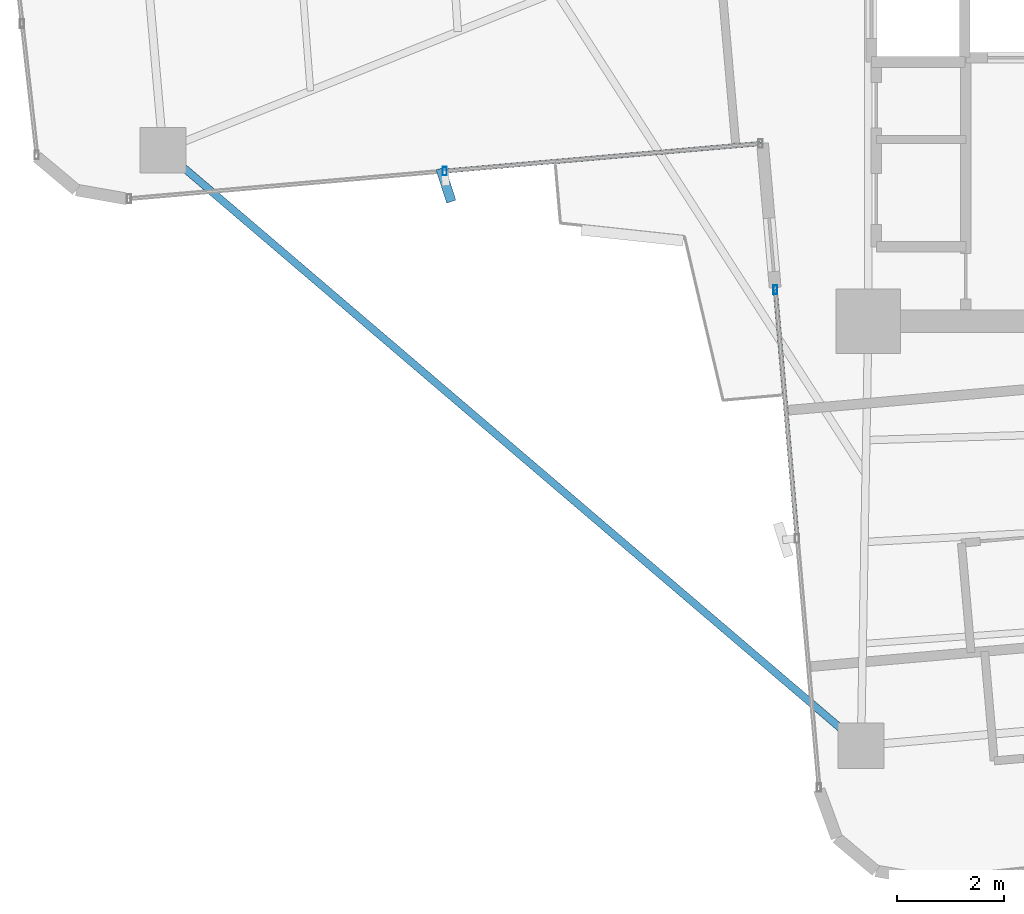
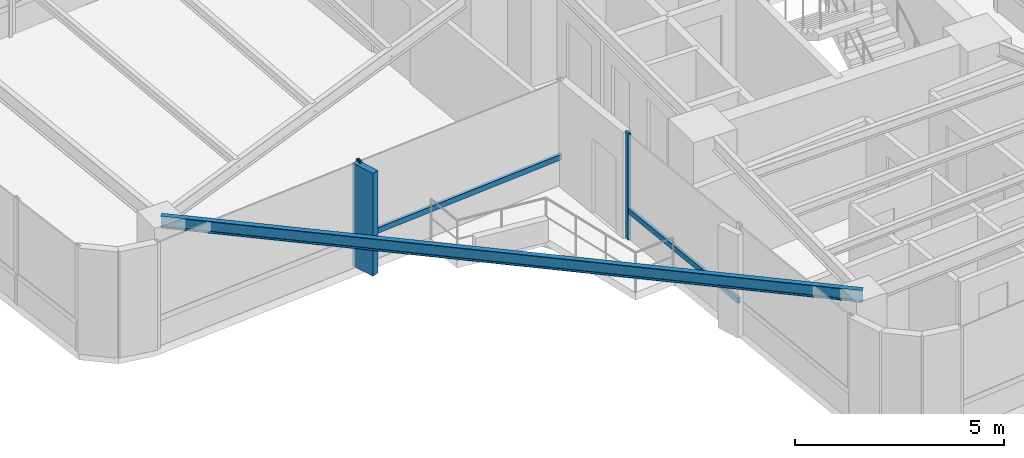
# One storey, part 4 of 24: 5 members, 1 beam, 2 elements without a shape of their own.
"""IFC4 building model written with IfcOpenShell, lengths in metres."""

import ifcopenshell
import ifcopenshell.guid

model = None  # the IFC model being written
_history = None  # IfcOwnerHistory: only IFC2X3 demands one
_inside = {}  # id of a spatial element -> (the spatial element, [elements in it])
_under = {}  # id of a project, library or spatial element -> (it, [spatial elements below it])
_declared = {}  # id of a project -> (the project, [libraries it declares])
_typed = {}  # id of a type object -> (the type object, [elements of that type])
_made_of = {}  # id of a material, layer set ... -> (it, [elements and type objects made of it])


def new_model(schema):
    """Start an empty IFC model of exactly this schema.

    Asked for "IFC4X3", IfcOpenShell would pick the latest addendum, in which some entities
    have other attributes; the version numbers below select the first issue.
    IFC2X3 requires an IfcOwnerHistory on every rooted entity: one is made here for all.
    """
    global model, _history
    if schema == "IFC4X3":
        model = ifcopenshell.file(schema_version=(4, 3, 0, 0))
    else:
        model = ifcopenshell.file(schema=schema)
    _inside.clear()
    _under.clear()
    _declared.clear()
    _typed.clear()
    _made_of.clear()
    _history = None
    if model.schema == "IFC2X3":
        org = make("IfcOrganization", Name="unknown")
        user = make(
            "IfcPersonAndOrganization",
            ThePerson=make("IfcPerson", FamilyName="unknown"),
            TheOrganization=org,
        )
        app = make(
            "IfcApplication",
            ApplicationDeveloper=org,
            Version="unknown",
            ApplicationFullName="unknown",
            ApplicationIdentifier="unknown",
        )
        _history = make(
            "IfcOwnerHistory",
            OwningUser=user,
            OwningApplication=app,
            ChangeAction="ADDED",
            CreationDate=0,
        )
    return model


def make(cls, **values):
    """One entity of the class cls with the attributes given. An attribute that is None is left unset."""
    return model.create_entity(
        cls, **{name: value for name, value in values.items() if value is not None}
    )


def rooted(cls, **values):
    """An entity with a GlobalId (a new one), such as an element, a storey or a relation."""
    return make(cls, GlobalId=ifcopenshell.guid.new(), OwnerHistory=_history, **values)


def si_unit(unit_type, name, prefix=None):
    """IfcSIUnit, for example si_unit("LENGTHUNIT", "METRE", prefix="MILLI")."""
    return make("IfcSIUnit", UnitType=unit_type, Prefix=prefix, Name=name)


def assignment(units):
    """IfcUnitAssignment: the units of a project."""
    return None if units is None else make("IfcUnitAssignment", Units=units)


def point(xyz):
    """IfcCartesianPoint."""
    return None if xyz is None else make("IfcCartesianPoint", Coordinates=xyz)


def direction(xyz):
    """IfcDirection."""
    return None if xyz is None else make("IfcDirection", DirectionRatios=xyz)


def frame(location, z_axis=None, x_axis=None):
    """IfcAxis2Placement3D, a coordinate frame: its origin and axes. An axis left out is left unset."""
    return make(
        "IfcAxis2Placement3D",
        Location=point(location),
        Axis=direction(z_axis),
        RefDirection=direction(x_axis),
    )


def frame_2d(location, x_axis=None):
    """IfcAxis2Placement2D, a coordinate frame in the plane: its origin and x axis."""
    return make(
        "IfcAxis2Placement2D", Location=point(location), RefDirection=direction(x_axis)
    )


def origin():
    """The frame at (0, 0, 0) with its axes left unset."""
    return frame((0.0, 0.0, 0.0))


def origin_2d():
    """The frame at (0, 0) in the plane with its x axis left unset."""
    return frame_2d((0.0, 0.0))


def place(relative_to, where):
    """IfcLocalPlacement: puts the frame where relative to a parent placement (None: the world)."""
    return make(
        "IfcLocalPlacement", PlacementRelTo=relative_to, RelativePlacement=where
    )


def context(
    kind, dimensions, precision=None, world=None, true_north=None, identifier=None
):
    """IfcGeometricRepresentationContext, for example the 3D "Model" context."""
    return make(
        "IfcGeometricRepresentationContext",
        ContextIdentifier=identifier,
        ContextType=kind,
        CoordinateSpaceDimension=dimensions,
        Precision=precision,
        WorldCoordinateSystem=world,
        TrueNorth=true_north,
    )


def subcontext(parent, identifier, kind, view, scale=None):
    """IfcGeometricRepresentationSubContext, for example "Body" below "Model"."""
    return make(
        "IfcGeometricRepresentationSubContext",
        ContextIdentifier=identifier,
        ContextType=kind,
        ParentContext=parent,
        TargetScale=scale,
        TargetView=view,
    )


def project(units=None, contexts=None):
    """IfcProject with its units and contexts."""
    return rooted(
        "IfcProject",
        Name="project",
        RepresentationContexts=contexts,
        UnitsInContext=assignment(units),
    )


def spatial(cls, under=None, at=None, **own):
    """A site, building, storey or space (cls), placed at a placement, below another one or the project."""
    s = rooted(cls, ObjectPlacement=at, **own)
    if under is not None:
        _under.setdefault(under.id(), (under, []))[1].append(s)
    return s


def profile(cls, at=None, kind="AREA", **sizes):
    """A parametric profile (cls). Its sizes go by their IFC names, for example OverallWidth=200.0."""
    return make(cls, ProfileType=kind, Position=at, **sizes)


def rectangle(**sizes):
    """IfcRectangleProfileDef."""
    return profile("IfcRectangleProfileDef", **sizes)


def hollow_rectangle(**sizes):
    """IfcRectangleHollowProfileDef."""
    return profile("IfcRectangleHollowProfileDef", **sizes)


def i_section(**sizes):
    """IfcIShapeProfileDef."""
    return profile("IfcIShapeProfileDef", **sizes)


def extrude(swept, where, along, depth):
    """IfcExtrudedAreaSolid: the profile swept, set in the frame where, extruded along a direction by depth."""
    return make(
        "IfcExtrudedAreaSolid",
        SweptArea=swept,
        Position=where,
        ExtrudedDirection=direction(along),
        Depth=depth,
    )


def shape(context_of_items, identifier, shape_type, items):
    """IfcShapeRepresentation: the items that make up one representation, for example the "Body"."""
    return make(
        "IfcShapeRepresentation",
        ContextOfItems=context_of_items,
        RepresentationIdentifier=identifier,
        RepresentationType=shape_type,
        Items=items,
    )


def source(mapping_origin, context_of_items, identifier, shape_type, items):
    """IfcRepresentationMap: a shape defined once, which mapped items show again and again."""
    return make(
        "IfcRepresentationMap",
        MappingOrigin=mapping_origin,
        MappedRepresentation=shape(context_of_items, identifier, shape_type, items),
    )


def transform(
    local_origin,
    x_axis=None,
    y_axis=None,
    z_axis=None,
    scale=None,
    scale2=None,
    scale3=None,
    uniform=True,
):
    """IfcCartesianTransformationOperator3D, or its non-uniform kind. x_axis, y_axis, z_axis: its Axis1, 2, 3."""
    if uniform:
        return make(
            "IfcCartesianTransformationOperator3D",
            Axis1=direction(x_axis),
            Axis2=direction(y_axis),
            LocalOrigin=point(local_origin),
            Scale=scale,
            Axis3=direction(z_axis),
        )
    return make(
        "IfcCartesianTransformationOperator3DnonUniform",
        Axis1=direction(x_axis),
        Axis2=direction(y_axis),
        LocalOrigin=point(local_origin),
        Scale=scale,
        Axis3=direction(z_axis),
        Scale2=scale2,
        Scale3=scale3,
    )


def mapped(mapping_source, mapping_target):
    """IfcMappedItem: shows the shape of a source again, moved by a transform."""
    return make(
        "IfcMappedItem", MappingSource=mapping_source, MappingTarget=mapping_target
    )


def material(Name=None, Category=None):
    """IfcMaterial."""
    return make("IfcMaterial", Name=Name, Category=Category)


def material_profile(
    of_material, cross_section, Name=None, Category=None, Priority=None
):
    """IfcMaterialProfile: a cross section and its material."""
    return make(
        "IfcMaterialProfile",
        Name=Name,
        Material=of_material,
        Profile=cross_section,
        Priority=Priority,
        Category=Category,
    )


def profile_set(profiles, Name=None, composite=None):
    """IfcMaterialProfileSet."""
    return make(
        "IfcMaterialProfileSet",
        Name=Name,
        MaterialProfiles=profiles,
        CompositeProfile=composite,
    )


def made_of(thing, what):
    """Note that an element or type object is made of a material, layer set ...; save() writes the relation."""
    if what is not None:
        _made_of.setdefault(what.id(), (what, []))[1].append(thing)
    return thing


def type_object(cls, material=None, **own):
    """A type object (cls), such as IfcWallType, which elements share."""
    return made_of(rooted(cls, **own), material)


def element(
    cls,
    number,
    at=None,
    inside=None,
    cuts=None,
    type_object=None,
    material=None,
    context=None,
    identifier="Body",
    shape_type=None,
    held_by="IfcProductDefinitionShape",
    body=None,
    shapes=None,
    **own,
):
    """One element of the class cls, such as IfcWall. Its Tag is "e" and its number.

    at: its placement. inside: the storey or other place that contains it. cuts: it is an
    opening in that element (IfcRelVoidsElement). A single representation is given by context,
    identifier, shape_type and body (its items); several are given by shapes. held_by: the class
    of the entity that holds the representations. save() writes the other relations.
    """
    e = rooted(cls, Tag="e%d" % number, ObjectPlacement=at, **own)
    if body is not None:
        shapes = [shape(context, identifier, shape_type, body)]
    if shapes is not None:
        e.Representation = make(held_by, Representations=shapes)
    if inside is not None:
        _inside.setdefault(inside.id(), (inside, []))[1].append(e)
    if cuts is not None:
        rooted(
            "IfcRelVoidsElement", RelatingBuildingElement=cuts, RelatedOpeningElement=e
        )
    if type_object is not None:
        _typed.setdefault(type_object.id(), (type_object, []))[1].append(e)
    return made_of(e, material)


def aggregate(whole, parts):
    """IfcRelAggregates: a whole, such as a stair, and the parts it consists of."""
    return rooted("IfcRelAggregates", RelatingObject=whole, RelatedObjects=parts)


def save(model, path):
    """Write the relations noted so far, then the file.

    IfcRelAggregates (storeys below a building ...), IfcRelContainedInSpatialStructure (elements
    in a storey), IfcRelDefinesByType, IfcRelAssociatesMaterial and IfcRelDeclares: one each for
    every whole, place, type object, material and project.
    """
    for whole, parts in _under.values():
        aggregate(whole, parts)
    for where, things in _inside.values():
        rooted(
            "IfcRelContainedInSpatialStructure",
            RelatedElements=things,
            RelatingStructure=where,
        )
    for kind, things in _typed.values():
        rooted("IfcRelDefinesByType", RelatedObjects=things, RelatingType=kind)
    for what, things in _made_of.values():
        rooted("IfcRelAssociatesMaterial", RelatedObjects=things, RelatingMaterial=what)
    for by, libraries in _declared.values():
        rooted("IfcRelDeclares", RelatingContext=by, RelatedDefinitions=libraries)
    model.write(path)


model = new_model("IFC4")

# Units and contexts
model_context = context("Model", 3, precision=1e-05, world=origin(), true_north=direction((0.0, 1.0)))
body_context = subcontext(model_context, "Body", "Model", "MODEL_VIEW")
ifc_project = project(units=[si_unit("LENGTHUNIT", "METRE"), si_unit("AREAUNIT", "SQUARE_METRE"), si_unit("VOLUMEUNIT", "CUBIC_METRE"), si_unit("PLANEANGLEUNIT", "RADIAN"), si_unit("MASSUNIT", "GRAM", prefix="KILO")], contexts=[model_context])

# Site, building, storey
site_placement = place(None, origin())
site = spatial("IfcSite", under=ifc_project, at=site_placement, CompositionType="ELEMENT")
building_placement = place(site_placement, origin())
building = spatial("IfcBuilding", under=site, at=building_placement, Name="Sahyath Konkavel Grand Hotel", CompositionType="ELEMENT")
storey_placement = place(building_placement, frame((0.0, 0.0, 164.0)))
storey = spatial("IfcBuildingStorey", under=building, at=storey_placement, Name="L45", CompositionType="ELEMENT", Elevation=164.0)

# Beam
ifc_material_1 = material(Name="Steel E350", Category="steel")
ifc_material_profile_1 = material_profile(ifc_material_1, i_section(OverallWidth=0.139892578125, OverallDepth=0.35009765625, WebThickness=0.008056640625, FlangeThickness=0.01416015625, FilletRadius=0.013916015625, at=origin_2d()), Name="ISMB 350")
ifc_profile_set_1 = profile_set([ifc_material_profile_1], Name="Steel E350")
beam_type = type_object("IfcBeamType", Name="BM-ISMB350", PredefinedType="BEAM", material=ifc_profile_set_1)
shared_shape_1 = source(origin(), body_context, "Body", "SweptSolid", [
    extrude(i_section(OverallWidth=0.139892578125, OverallDepth=0.35009765625, WebThickness=0.008056640625, FlangeThickness=0.01416015625, FilletRadius=0.013916015625, at=origin_2d()), origin(), (0.0, 0.0, 1.0), 17.11279296875),
])
beam_placement = place(storey_placement, frame((-16.9541015625, -7.00439453125, 2.93505859375), z_axis=(0.760711911164, -0.649089661151, 0.0), x_axis=(0.649089661151, 0.760711911164, 0.0)))
element("IfcBeam", 1, at=beam_placement, inside=storey, type_object=beam_type, Name="L45 Re-Entrant Tie Beam SW", PredefinedType="BEAM", context=body_context, shape_type="MappedRepresentation", body=[
    mapped(shared_shape_1, transform((0.0, 0.0, 0.0), scale=1.0)),
])

# Curtain wall, members
ifc_material_2 = material(Name="Anodised Bronze Aluminium & Low-E Glazing", Category="aluminium")
curtain_wall_type = type_object("IfcCurtainWallType", Name="CW-ZONE3", PredefinedType="NOTDEFINED", material=ifc_material_2)
curtain_wall_1_placement = place(storey_placement, origin())
curtain_wall_1 = element("IfcCurtainWall", 2, at=curtain_wall_1_placement, inside=storey, type_object=curtain_wall_type, Name="L45 Unitised Curtain Wall F23", PredefinedType="NOTDEFINED")
ifc_material_3 = material(Name="Warm Buff Sandstone Cladding on Concrete C50/60", Category="masonry")
ifc_material_profile_2 = material_profile(ifc_material_3, rectangle(XDim=0.179931640625, YDim=0.64990234375, at=origin_2d()), Name="FIN 180x650")
ifc_profile_set_2 = profile_set([ifc_material_profile_2], Name="Warm Buff Sandstone Cladding on Concrete C50/60")
member_type_1 = type_object("IfcMemberType", Name="FIN-SANDSTONE-650", PredefinedType="MULLION", material=ifc_profile_set_2)
shared_shape_2 = source(origin(), body_context, "Body", "SweptSolid", [
    extrude(rectangle(XDim=0.179931640625, YDim=0.64990234375, at=origin_2d()), origin(), (0.0, 0.0, 1.0), 3.010009765625),
])
member_1_placement = place(storey_placement, frame((-11.677001953125, -7.656982421875, 0.050048828125), z_axis=(0.0, 0.0, 1.0), x_axis=(0.952236042525, 0.30536293049, 0.0)))
member_1 = element("IfcMember", 3, at=member_1_placement, type_object=member_type_1, Name="L45 Sandstone Vertical Solar Fin FIN F23-1", PredefinedType="MULLION", context=body_context, shape_type="MappedRepresentation", body=[
    mapped(shared_shape_2, transform((0.0, 0.0, 0.0), scale=1.0)),
])
ifc_material_4 = material(Name="Anodised Bronze Aluminium", Category="aluminium")
ifc_material_profile_3 = material_profile(ifc_material_4, hollow_rectangle(XDim=0.080078125, YDim=0.159912109375, WallThickness=0.006103515625, at=origin_2d()), Name="RHS 160x80x6")
ifc_profile_set_3 = profile_set([ifc_material_profile_3], Name="Anodised Bronze Aluminium")
member_type_2 = type_object("IfcMemberType", Name="CW-MUL-160", PredefinedType="MULLION", material=ifc_profile_set_3)
shared_shape_3 = source(origin(), body_context, "Body", "SweptSolid", [
    extrude(hollow_rectangle(XDim=0.080078125, YDim=0.159912109375, WallThickness=0.006103515625, at=origin_2d()), origin(), (0.0, 0.0, 1.0), 3.110107421875),
])
member_2_placement = place(storey_placement, frame((-11.69970703125, -7.39794921875, 0.0), z_axis=(0.0, 0.0, 1.0), x_axis=(1.0, 0.0, 0.0)))
member_2 = element("IfcMember", 4, at=member_2_placement, type_object=member_type_2, Name="L45 Curtain Wall Mullion F23-1", PredefinedType="MULLION", context=body_context, shape_type="MappedRepresentation", body=[
    mapped(shared_shape_3, transform((0.0, 0.0, 0.0), scale=1.0)),
])

# Curtain wall, member
curtain_wall_2_placement = place(storey_placement, origin())
curtain_wall_2 = element("IfcCurtainWall", 5, at=curtain_wall_2_placement, inside=storey, type_object=curtain_wall_type, Name="L45 Unitised Curtain Wall F24", PredefinedType="NOTDEFINED")
member_3_placement = place(storey_placement, frame((-5.53369140625, -9.60888671875, 0.0), z_axis=(0.0, 0.0, 1.0), x_axis=(1.0, 0.0, 0.0)))
member_3 = element("IfcMember", 6, at=member_3_placement, type_object=member_type_2, Name="L45 Curtain Wall Mullion F24-0", PredefinedType="MULLION", context=body_context, shape_type="MappedRepresentation", body=[
    mapped(shared_shape_3, transform((0.0, 0.0, 0.0), scale=1.0)),
])

# Member
ifc_material_profile_4 = material_profile(ifc_material_4, hollow_rectangle(XDim=0.080078125, YDim=0.159912109375, WallThickness=0.006103515625, at=origin_2d()), Name="RHS 160x80x6")
ifc_profile_set_4 = profile_set([ifc_material_profile_4], Name="Anodised Bronze Aluminium")
member_type_3 = type_object("IfcMemberType", Name="CW-TRN-160", PredefinedType="USERDEFINED", material=ifc_profile_set_4)
shared_shape_4 = source(origin(), body_context, "Body", "SweptSolid", [
    extrude(hollow_rectangle(XDim=0.080078125, YDim=0.159912109375, WallThickness=0.006103515625, at=origin_2d()), origin(), (0.0, 0.0, 1.0), 5.909912109375),
])
member_4_placement = place(storey_placement, frame((-11.69970703125, -7.39794921875, 0.85009765625), z_axis=(0.996193941691, 0.087164388014, 0.0), x_axis=(-0.087164388014, 0.996193941691, 0.0)))
member_4 = element("IfcMember", 7, at=member_4_placement, type_object=member_type_3, Name="L45 Curtain Wall Transom F23-1-spandrel", ObjectType="TRANSOM", PredefinedType="USERDEFINED", context=body_context, shape_type="MappedRepresentation", body=[
    mapped(shared_shape_4, transform((0.0, 0.0, 0.0), scale=1.0)),
])

aggregate(curtain_wall_1, [member_2, member_1, member_4])

shared_shape_5 = source(origin(), body_context, "Body", "SweptSolid", [
    extrude(hollow_rectangle(XDim=0.080078125, YDim=0.159912109375, WallThickness=0.006103515625, at=origin_2d()), origin(), (0.0, 0.0, 1.0), 4.66015625),
])
member_5_placement = place(storey_placement, frame((-5.53369140625, -9.60888671875, 0.85009765625), z_axis=(0.087176698736, -0.996192864458, 0.0), x_axis=(0.996192864458, 0.087176698736, 0.0)))
member_5 = element("IfcMember", 8, at=member_5_placement, type_object=member_type_3, Name="L45 Curtain Wall Transom F24-0-spandrel", ObjectType="TRANSOM", PredefinedType="USERDEFINED", context=body_context, shape_type="MappedRepresentation", body=[
    mapped(shared_shape_5, transform((0.0, 0.0, 0.0), scale=1.0)),
])

aggregate(curtain_wall_2, [member_3, member_5])

save(model, "model.ifc")
